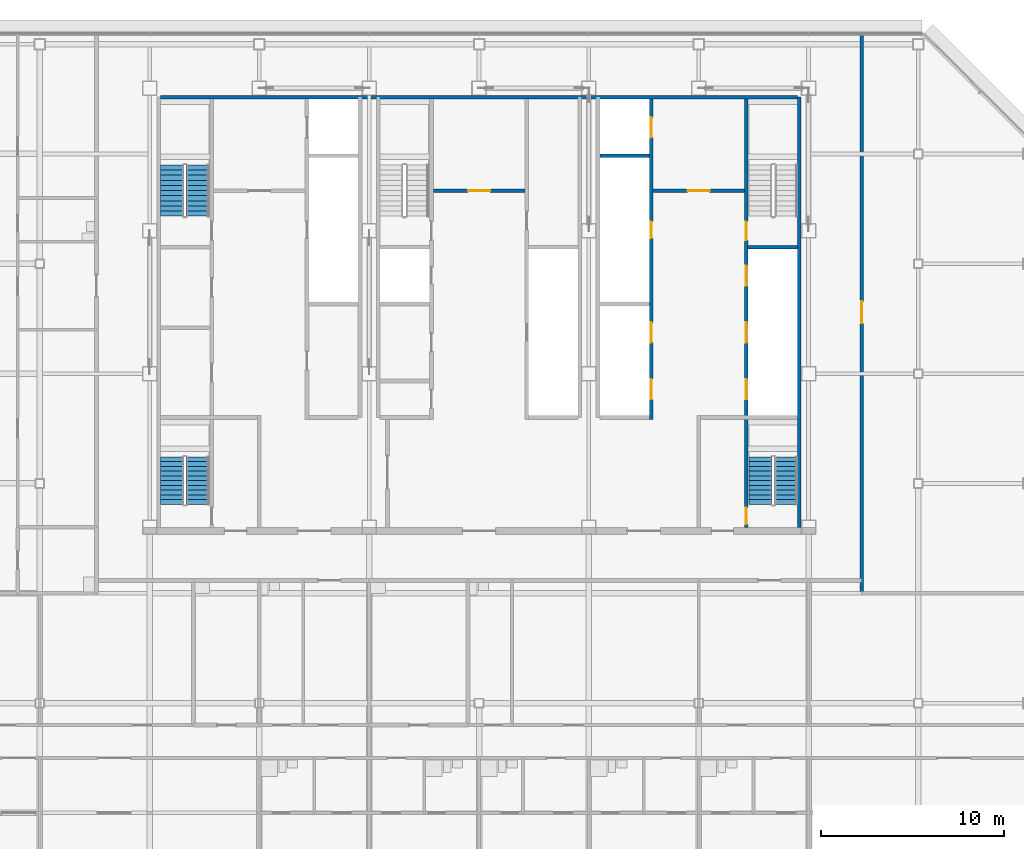
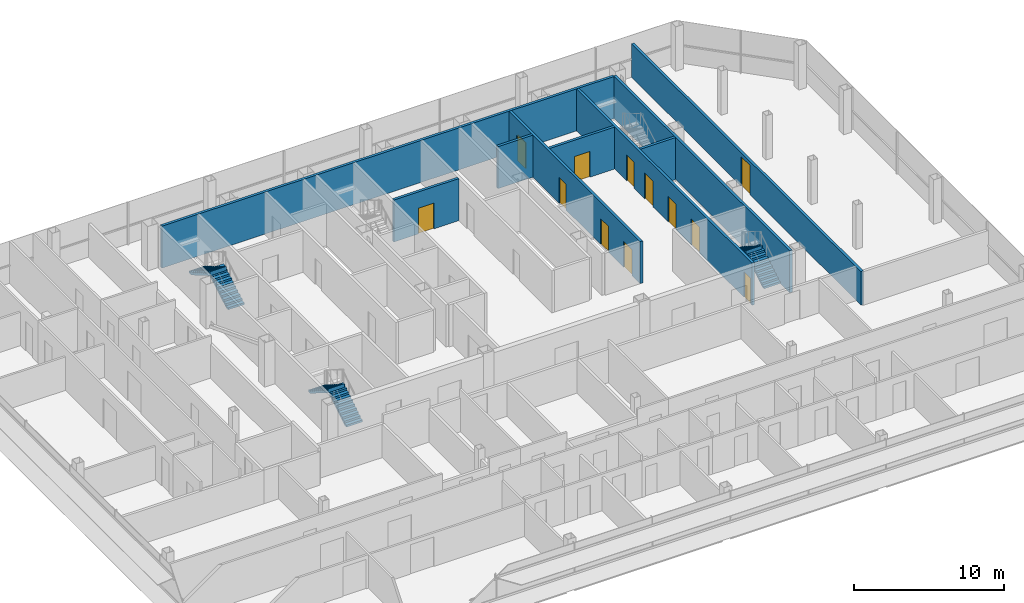
# One storey, part 25 of 28: 12 doors, 9 walls, 6 stair flights, 12 openings, 3 elements without a shape of their own.
"""IFC4 building model written with IfcOpenShell, lengths in metres."""

from ifc_helpers import new_model, si_unit, direction, frame, frame_2d, origin, place, context, subcontext, project, spatial, polyline, rectangle, outline, extrude, material, layer, layer_set, type_object, element, fill, aggregate, save


model = new_model("IFC4")

# Units and contexts
model_context = context("Model", 3, precision=1e-05, world=origin(), true_north=direction((0.0, 1.0)))
body_context = subcontext(model_context, "Body", "Model", "MODEL_VIEW")
ifc_project = project(units=[si_unit("LENGTHUNIT", "METRE"), si_unit("AREAUNIT", "SQUARE_METRE"), si_unit("VOLUMEUNIT", "CUBIC_METRE"), si_unit("PLANEANGLEUNIT", "RADIAN"), si_unit("MASSUNIT", "GRAM", prefix="KILO")], contexts=[model_context])

# Site, building, storey
site_placement = place(None, origin())
site = spatial("IfcSite", under=ifc_project, at=site_placement, CompositionType="ELEMENT")
building_placement = place(site_placement, origin())
building = spatial("IfcBuilding", under=site, at=building_placement, Name="Sorahane Residences", CompositionType="ELEMENT")
storey_placement = place(building_placement, frame((0.0, 0.0, 250.39990234375)))
storey = spatial("IfcBuildingStorey", under=building, at=storey_placement, Name="L59", CompositionType="ELEMENT", Elevation=250.39990234375)

# Walls
ifc_material_1 = material(Name="Concrete C30", Category="concrete")
ifc_layer_1 = layer(ifc_material_1, 0.199951171875)
ifc_layer_set_1 = layer_set([ifc_layer_1], Name="Core face wall 200 EI 180")
wall_type_1 = type_object("IfcWallType", Name="Core face wall 200 EI 180", PredefinedType="SOLIDWALL", material=ifc_layer_set_1)
wall_1_placement = place(storey_placement, frame((41.5, 21.60009765625, 0.0), z_axis=(0.0, 0.0, 1.0), x_axis=(0.0, 1.0, 0.0)))
element("IfcWall", 1, at=wall_1_placement, inside=storey, type_object=wall_type_1, Name="L59 core face wall", PredefinedType="SOLIDWALL", context=body_context, shape_type="SweptSolid", body=[
    extrude(rectangle(XDim=23.5, YDim=0.199951171875, at=frame_2d((11.75, 0.0))), origin(), (0.0, 0.0, 1.0), 3.420166015625),
])
wall_2_placement = place(storey_placement, frame((6.60009765625, 45.10009765625, 0.0), z_axis=(0.0, 0.0, 1.0), x_axis=(1.0, 0.0, 0.0)))
element("IfcWall", 2, at=wall_2_placement, inside=storey, type_object=wall_type_1, Name="L59 core face wall", PredefinedType="SOLIDWALL", context=body_context, shape_type="SweptSolid", body=[
    extrude(rectangle(XDim=34.7998046875, YDim=0.199951171875, at=frame_2d((17.39990234375, 0.0))), origin(), (0.0, 0.0, 1.0), 3.420166015625),
])

# Wall, opening, door
ifc_material_2 = material(Name="Concrete blockwork C20 wall", Category="masonry")
ifc_layer_2 = layer(ifc_material_2, 0.199951171875)
ifc_layer_set_2 = layer_set([ifc_layer_2], Name="Corridor wall 200 EI 120")
wall_type_2 = type_object("IfcWallType", Name="Corridor wall 200 EI 120", PredefinedType="SOLIDWALL", material=ifc_layer_set_2)
wall_3_placement = place(storey_placement, frame((44.89990234375, 18.0, 0.0), z_axis=(0.0, 0.0, 1.0), x_axis=(0.0, 1.0, 0.0)))
wall_3 = element("IfcWall", 3, at=wall_3_placement, inside=storey, type_object=wall_type_2, Name="L59 corridor wall", PredefinedType="SOLIDWALL", context=body_context, shape_type="SweptSolid", body=[
    extrude(rectangle(XDim=30.60009765625, YDim=0.199951171875, at=frame_2d((15.300048828125, 0.0))), origin(), (0.0, 0.0, 1.0), 2.72021484375),
])
opening_1_placement = place(wall_3_placement, frame((14.75, 0.0, 0.0)))
opening_1 = element("IfcOpeningElement", 4, at=opening_1_placement, cuts=wall_3, Name="Opening L59-49", PredefinedType="OPENING", context=body_context, shape_type="SweptSolid", body=[
    extrude(rectangle(XDim=1.199951171875, YDim=2.39990234375, at=frame_2d((0.60009765625, 1.199951171875))), frame((0.0, 0.10986328125, 0.0), z_axis=(0.0, -1.0, 0.0), x_axis=(1.0, 0.0, 0.0)), (0.0, 0.0, 1.0), 0.219970703125),
])
ifc_material_3 = material(Name="Steel", Category="steel")
door_type_1 = type_object("IfcDoorType", Name="Lobby door 1200x2400 FD60", OperationType="NOTDEFINED", PredefinedType="DOOR", material=ifc_material_3)
door_1_placement = place(opening_1_placement, frame((1.199951171875, 0.0, 0.0), z_axis=(0.0, 0.0, 1.0), x_axis=(-1.0, 0.0, 0.0)))
door_1 = element("IfcDoor", 5, at=door_1_placement, inside=storey, type_object=door_type_1, Name="Lobby door L59-49", OperationType="SINGLE_SWING_LEFT", OverallHeight=2.39990234375, OverallWidth=1.199951171875, PredefinedType="DOOR", context=body_context, shape_type="SweptSolid", body=[
    extrude(rectangle(XDim=1.199951171875, YDim=2.39990234375, at=frame_2d((0.60009765625, 1.199951171875))), frame((0.0, 0.02490234375, 0.0), z_axis=(0.0, -1.0, 0.0), x_axis=(1.0, 0.0, 0.0)), (0.0, 0.0, 1.0), 0.050048828125),
])
fill(opening_1, door_1)

ifc_material_4 = material(Name="Concrete C30", Category="concrete")
ifc_layer_3 = layer(ifc_material_4, 0.199951171875)
ifc_layer_set_3 = layer_set([ifc_layer_3], Name="Front room wall 200 EI 120")
wall_type_3 = type_object("IfcWallType", Name="Front room wall 200 EI 120", PredefinedType="PARTITIONING", material=ifc_layer_set_3)
wall_4_placement = place(storey_placement, frame((21.5, 40.0, 0.0), z_axis=(0.0, 0.0, 1.0), x_axis=(1.0, 0.0, 0.0)))
wall_4 = element("IfcWall", 6, at=wall_4_placement, inside=storey, type_object=wall_type_3, Name="L59 front room wall", PredefinedType="PARTITIONING", context=body_context, shape_type="SweptSolid", body=[
    extrude(rectangle(XDim=5.0, YDim=0.199951171875, at=frame_2d((2.5, 0.0))), origin(), (0.0, 0.0, 1.0), 3.420166015625),
])
opening_2_placement = place(wall_4_placement, frame((1.89990234375, 0.0, 0.0)))
opening_2 = element("IfcOpeningElement", 7, at=opening_2_placement, cuts=wall_4, Name="Opening L59-C08", PredefinedType="OPENING", context=body_context, shape_type="SweptSolid", body=[
    extrude(rectangle(XDim=1.199951171875, YDim=2.10009765625, at=frame_2d((0.60009765625, 1.050048828125))), frame((0.0, 0.10986328125, 0.0), z_axis=(0.0, -1.0, 0.0), x_axis=(1.0, 0.0, 0.0)), (0.0, 0.0, 1.0), 0.219970703125),
])
ifc_material_5 = material(Name="Steel", Category="steel")
door_type_2 = type_object("IfcDoorType", Name="Front room door 1200x2100 FD120", OperationType="NOTDEFINED", PredefinedType="DOOR", material=ifc_material_5)
door_2_placement = place(opening_2_placement, frame((1.199951171875, 0.0, 0.0), z_axis=(0.0, 0.0, 1.0), x_axis=(-1.0, 0.0, 0.0)))
door_2 = element("IfcDoor", 8, at=door_2_placement, inside=storey, type_object=door_type_2, Name="Front room door Stair S3 vestibule L59", OperationType="DOUBLE_DOOR_SINGLE_SWING", OverallHeight=2.10009765625, OverallWidth=1.199951171875, PredefinedType="DOOR", context=body_context, shape_type="SweptSolid", body=[
    extrude(rectangle(XDim=1.199951171875, YDim=2.10009765625, at=frame_2d((0.60009765625, 1.050048828125))), frame((0.0, 0.02490234375, 0.0), z_axis=(0.0, -1.0, 0.0), x_axis=(1.0, 0.0, 0.0)), (0.0, 0.0, 1.0), 0.050048828125),
])
fill(opening_2, door_2)

wall_5_placement = place(storey_placement, frame((33.5, 40.0, 0.0), z_axis=(0.0, 0.0, 1.0), x_axis=(1.0, 0.0, 0.0)))
wall_5 = element("IfcWall", 9, at=wall_5_placement, inside=storey, type_object=wall_type_3, Name="L59 front room wall", PredefinedType="PARTITIONING", context=body_context, shape_type="SweptSolid", body=[
    extrude(rectangle(XDim=5.0, YDim=0.199951171875, at=frame_2d((2.5, 0.0))), origin(), (0.0, 0.0, 1.0), 3.420166015625),
])
opening_3_placement = place(wall_5_placement, frame((1.89990234375, 0.0, 0.0)))
opening_3 = element("IfcOpeningElement", 10, at=opening_3_placement, cuts=wall_5, Name="Opening L59-C09", PredefinedType="OPENING", context=body_context, shape_type="SweptSolid", body=[
    extrude(rectangle(XDim=1.199951171875, YDim=2.10009765625, at=frame_2d((0.60009765625, 1.050048828125))), frame((0.0, 0.10986328125, 0.0), z_axis=(0.0, -1.0, 0.0), x_axis=(1.0, 0.0, 0.0)), (0.0, 0.0, 1.0), 0.219970703125),
])
door_3_placement = place(opening_3_placement, frame((1.199951171875, 0.0, 0.0), z_axis=(0.0, 0.0, 1.0), x_axis=(-1.0, 0.0, 0.0)))
door_3 = element("IfcDoor", 11, at=door_3_placement, inside=storey, type_object=door_type_2, Name="Front room door Firefighting lobby FF2 front room L59", OperationType="DOUBLE_DOOR_SINGLE_SWING", OverallHeight=2.10009765625, OverallWidth=1.199951171875, PredefinedType="DOOR", context=body_context, shape_type="SweptSolid", body=[
    extrude(rectangle(XDim=1.199951171875, YDim=2.10009765625, at=frame_2d((0.60009765625, 1.050048828125))), frame((0.0, 0.02490234375, 0.0), z_axis=(0.0, -1.0, 0.0), x_axis=(1.0, 0.0, 0.0)), (0.0, 0.0, 1.0), 0.050048828125),
])
fill(opening_3, door_3)

# Wall, openings, doors
ifc_material_6 = material(Name="Concrete C30", Category="concrete")
ifc_layer_4 = layer(ifc_material_6, 0.199951171875)
ifc_layer_set_4 = layer_set([ifc_layer_4], Name="Lift shaft wall 200 EI 120")
wall_type_4 = type_object("IfcWallType", Name="Lift shaft wall 200 EI 120", PredefinedType="SOLIDWALL", material=ifc_layer_set_4)
wall_6_placement = place(storey_placement, frame((33.39990234375, 27.5, 0.0), z_axis=(0.0, 0.0, 1.0), x_axis=(0.0, 1.0, 0.0)))
wall_6 = element("IfcWall", 12, at=wall_6_placement, inside=storey, type_object=wall_type_4, Name="L59 lift shaft wall", PredefinedType="SOLIDWALL", context=body_context, shape_type="SweptSolid", body=[
    extrude(rectangle(XDim=17.5, YDim=0.199951171875, at=frame_2d((8.75, 0.0))), origin(), (0.0, 0.0, 1.0), 3.420166015625),
])
opening_4_placement = place(wall_6_placement, frame((1.10009765625, 0.0, 0.0)))
opening_4 = element("IfcOpeningElement", 13, at=opening_4_placement, cuts=wall_6, Name="Opening L59-C13", PredefinedType="OPENING", context=body_context, shape_type="SweptSolid", body=[
    extrude(rectangle(XDim=1.10009765625, YDim=2.10009765625, at=frame_2d((0.550048828125, 1.050048828125))), frame((0.0, 0.10986328125, 0.0), z_axis=(0.0, -1.0, 0.0), x_axis=(1.0, 0.0, 0.0)), (0.0, 0.0, 1.0), 0.219970703125),
])
opening_5_placement = place(wall_6_placement, frame((4.199951171875, 0.0, 0.0)))
opening_5 = element("IfcOpeningElement", 14, at=opening_5_placement, cuts=wall_6, Name="Opening L59-C14", PredefinedType="OPENING", context=body_context, shape_type="SweptSolid", body=[
    extrude(rectangle(XDim=1.10009765625, YDim=2.10009765625, at=frame_2d((0.550048828125, 1.050048828125))), frame((0.0, 0.10986328125, 0.0), z_axis=(0.0, -1.0, 0.0), x_axis=(1.0, 0.0, 0.0)), (0.0, 0.0, 1.0), 0.219970703125),
])
opening_6_placement = place(wall_6_placement, frame((15.39990234375, 0.0, 0.0)))
opening_6 = element("IfcOpeningElement", 15, at=opening_6_placement, cuts=wall_6, Name="Opening L59-C15", PredefinedType="OPENING", context=body_context, shape_type="SweptSolid", body=[
    extrude(rectangle(XDim=1.10009765625, YDim=2.10009765625, at=frame_2d((0.550048828125, 1.050048828125))), frame((0.0, 0.10986328125, 0.0), z_axis=(0.0, -1.0, 0.0), x_axis=(1.0, 0.0, 0.0)), (0.0, 0.0, 1.0), 0.219970703125),
])
opening_7_placement = place(wall_6_placement, frame((9.89990234375, 0.0, 0.0)))
opening_7 = element("IfcOpeningElement", 16, at=opening_7_placement, cuts=wall_6, Name="Opening L59-C28", PredefinedType="OPENING", context=body_context, shape_type="SweptSolid", body=[
    extrude(rectangle(XDim=0.89990234375, YDim=2.10009765625, at=frame_2d((0.449951171875, 1.050048828125))), frame((0.0, 0.10986328125, 0.0), z_axis=(0.0, -1.0, 0.0), x_axis=(1.0, 0.0, 0.0)), (0.0, 0.0, 1.0), 0.219970703125),
])
ifc_material_7 = material(Name="Aluminium and stainless steel", Category="steel")
door_type_3 = type_object("IfcDoorType", Name="Lift landing door 1100x2100 E 60", OperationType="NOTDEFINED", PredefinedType="DOOR", material=ifc_material_7)
door_4_placement = place(opening_4_placement, origin())
door_4 = element("IfcDoor", 17, at=door_4_placement, inside=storey, type_object=door_type_3, Name="Lift landing door HR4 L59", OperationType="DOUBLE_DOOR_SLIDING", OverallHeight=2.10009765625, OverallWidth=1.10009765625, PredefinedType="DOOR", context=body_context, shape_type="SweptSolid", body=[
    extrude(rectangle(XDim=1.10009765625, YDim=2.10009765625, at=frame_2d((0.550048828125, 1.050048828125))), frame((0.0, 0.02490234375, 0.0), z_axis=(0.0, -1.0, 0.0), x_axis=(1.0, 0.0, 0.0)), (0.0, 0.0, 1.0), 0.050048828125),
])
fill(opening_4, door_4)
door_5_placement = place(opening_5_placement, origin())
door_5 = element("IfcDoor", 18, at=door_5_placement, inside=storey, type_object=door_type_3, Name="Lift landing door HR5 L59", OperationType="DOUBLE_DOOR_SLIDING", OverallHeight=2.10009765625, OverallWidth=1.10009765625, PredefinedType="DOOR", context=body_context, shape_type="SweptSolid", body=[
    extrude(rectangle(XDim=1.10009765625, YDim=2.10009765625, at=frame_2d((0.550048828125, 1.050048828125))), frame((0.0, 0.02490234375, 0.0), z_axis=(0.0, -1.0, 0.0), x_axis=(1.0, 0.0, 0.0)), (0.0, 0.0, 1.0), 0.050048828125),
])
fill(opening_5, door_5)
door_6_placement = place(opening_6_placement, origin())
door_6 = element("IfcDoor", 19, at=door_6_placement, inside=storey, type_object=door_type_3, Name="Lift landing door FF2 L59", OperationType="DOUBLE_DOOR_SLIDING", OverallHeight=2.10009765625, OverallWidth=1.10009765625, PredefinedType="DOOR", context=body_context, shape_type="SweptSolid", body=[
    extrude(rectangle(XDim=1.10009765625, YDim=2.10009765625, at=frame_2d((0.550048828125, 1.050048828125))), frame((0.0, 0.02490234375, 0.0), z_axis=(0.0, -1.0, 0.0), x_axis=(1.0, 0.0, 0.0)), (0.0, 0.0, 1.0), 0.050048828125),
])
fill(opening_6, door_6)
ifc_material_8 = material(Name="Steel", Category="steel")
door_type_4 = type_object("IfcDoorType", Name="Riser door 900x2100 FD120", OperationType="NOTDEFINED", PredefinedType="DOOR", material=ifc_material_8)
door_7_placement = place(opening_7_placement, frame((0.89990234375, 0.0, 0.0), z_axis=(0.0, 0.0, 1.0), x_axis=(-1.0, 0.0, 0.0)))
door_7 = element("IfcDoor", 20, at=door_7_placement, inside=storey, type_object=door_type_4, Name="Riser door R2 L59", OperationType="SINGLE_SWING_LEFT", OverallHeight=2.10009765625, OverallWidth=0.89990234375, PredefinedType="DOOR", context=body_context, shape_type="SweptSolid", body=[
    extrude(rectangle(XDim=0.89990234375, YDim=2.10009765625, at=frame_2d((0.449951171875, 1.050048828125))), frame((0.0, 0.02490234375, 0.0), z_axis=(0.0, -1.0, 0.0), x_axis=(1.0, 0.0, 0.0)), (0.0, 0.0, 1.0), 0.050048828125),
])
fill(opening_7, door_7)

# Wall
wall_7_placement = place(storey_placement, frame((30.60009765625, 41.89990234375, 0.0), z_axis=(0.0, 0.0, 1.0), x_axis=(1.0, 0.0, 0.0)))
element("IfcWall", 21, at=wall_7_placement, inside=storey, type_object=wall_type_4, Name="L59 lift shaft wall", PredefinedType="SOLIDWALL", context=body_context, shape_type="SweptSolid", body=[
    extrude(rectangle(XDim=2.699951171875, YDim=0.199951171875, at=frame_2d((1.35009765625, 0.0))), origin(), (0.0, 0.0, 1.0), 3.420166015625),
])

# Wall, openings, doors
ifc_material_9 = material(Name="Concrete C30", Category="concrete")
ifc_layer_5 = layer(ifc_material_9, 0.199951171875)
ifc_layer_set_5 = layer_set([ifc_layer_5], Name="Stair enclosure wall 200 EI 120")
wall_type_5 = type_object("IfcWallType", Name="Stair enclosure wall 200 EI 120", PredefinedType="SOLIDWALL", material=ifc_layer_set_5)
wall_8_placement = place(storey_placement, frame((38.60009765625, 21.60009765625, 0.0), z_axis=(0.0, 0.0, 1.0), x_axis=(0.0, 1.0, 0.0)))
wall_8 = element("IfcWall", 22, at=wall_8_placement, inside=storey, type_object=wall_type_5, Name="L59 stair enclosure wall", PredefinedType="SOLIDWALL", context=body_context, shape_type="SweptSolid", body=[
    extrude(rectangle(XDim=23.39990234375, YDim=0.199951171875, at=frame_2d((11.699951171875, 0.0))), origin(), (0.0, 0.0, 1.0), 3.420166015625),
])
opening_8_placement = place(wall_8_placement, frame((7.0, 0.0, 0.0)))
opening_8 = element("IfcOpeningElement", 23, at=opening_8_placement, cuts=wall_8, Name="Opening L59-C10", PredefinedType="OPENING", context=body_context, shape_type="SweptSolid", body=[
    extrude(rectangle(XDim=1.10009765625, YDim=2.10009765625, at=frame_2d((0.550048828125, 1.050048828125))), frame((0.0, 0.10986328125, 0.0), z_axis=(0.0, -1.0, 0.0), x_axis=(1.0, 0.0, 0.0)), (0.0, 0.0, 1.0), 0.219970703125),
])
opening_9_placement = place(wall_8_placement, frame((10.10009765625, 0.0, 0.0)))
opening_9 = element("IfcOpeningElement", 24, at=opening_9_placement, cuts=wall_8, Name="Opening L59-C11", PredefinedType="OPENING", context=body_context, shape_type="SweptSolid", body=[
    extrude(rectangle(XDim=1.10009765625, YDim=2.10009765625, at=frame_2d((0.550048828125, 1.050048828125))), frame((0.0, 0.10986328125, 0.0), z_axis=(0.0, -1.0, 0.0), x_axis=(1.0, 0.0, 0.0)), (0.0, 0.0, 1.0), 0.219970703125),
])
opening_10_placement = place(wall_8_placement, frame((13.199951171875, 0.0, 0.0)))
opening_10 = element("IfcOpeningElement", 25, at=opening_10_placement, cuts=wall_8, Name="Opening L59-C12", PredefinedType="OPENING", context=body_context, shape_type="SweptSolid", body=[
    extrude(rectangle(XDim=1.10009765625, YDim=2.10009765625, at=frame_2d((0.550048828125, 1.050048828125))), frame((0.0, 0.10986328125, 0.0), z_axis=(0.0, -1.0, 0.0), x_axis=(1.0, 0.0, 0.0)), (0.0, 0.0, 1.0), 0.219970703125),
])
opening_11_placement = place(wall_8_placement, frame((15.699951171875, 0.0, 0.0)))
opening_11 = element("IfcOpeningElement", 26, at=opening_11_placement, cuts=wall_8, Name="Opening L59-C23", PredefinedType="OPENING", context=body_context, shape_type="SweptSolid", body=[
    extrude(rectangle(XDim=1.0, YDim=2.10009765625, at=frame_2d((0.5, 1.050048828125))), frame((0.0, 0.10986328125, 0.0), z_axis=(0.0, -1.0, 0.0), x_axis=(1.0, 0.0, 0.0)), (0.0, 0.0, 1.0), 0.219970703125),
])
opening_12_placement = place(wall_8_placement, frame((0.175048828125, 0.0, 0.0)))
opening_12 = element("IfcOpeningElement", 27, at=opening_12_placement, cuts=wall_8, Name="Opening L59-C26", PredefinedType="OPENING", context=body_context, shape_type="SweptSolid", body=[
    extrude(rectangle(XDim=0.89990234375, YDim=2.10009765625, at=frame_2d((0.449951171875, 1.050048828125))), frame((0.0, 0.10986328125, 0.0), z_axis=(0.0, -1.0, 0.0), x_axis=(1.0, 0.0, 0.0)), (0.0, 0.0, 1.0), 0.219970703125),
])
door_8_placement = place(opening_8_placement, origin())
door_8 = element("IfcDoor", 28, at=door_8_placement, inside=storey, type_object=door_type_3, Name="Lift landing door HR1 L59", OperationType="DOUBLE_DOOR_SLIDING", OverallHeight=2.10009765625, OverallWidth=1.10009765625, PredefinedType="DOOR", context=body_context, shape_type="SweptSolid", body=[
    extrude(rectangle(XDim=1.10009765625, YDim=2.10009765625, at=frame_2d((0.550048828125, 1.050048828125))), frame((0.0, 0.02490234375, 0.0), z_axis=(0.0, -1.0, 0.0), x_axis=(1.0, 0.0, 0.0)), (0.0, 0.0, 1.0), 0.050048828125),
])
fill(opening_8, door_8)
door_9_placement = place(opening_9_placement, origin())
door_9 = element("IfcDoor", 29, at=door_9_placement, inside=storey, type_object=door_type_3, Name="Lift landing door HR2 L59", OperationType="DOUBLE_DOOR_SLIDING", OverallHeight=2.10009765625, OverallWidth=1.10009765625, PredefinedType="DOOR", context=body_context, shape_type="SweptSolid", body=[
    extrude(rectangle(XDim=1.10009765625, YDim=2.10009765625, at=frame_2d((0.550048828125, 1.050048828125))), frame((0.0, 0.02490234375, 0.0), z_axis=(0.0, -1.0, 0.0), x_axis=(1.0, 0.0, 0.0)), (0.0, 0.0, 1.0), 0.050048828125),
])
fill(opening_9, door_9)
door_10_placement = place(opening_10_placement, origin())
door_10 = element("IfcDoor", 30, at=door_10_placement, inside=storey, type_object=door_type_3, Name="Lift landing door HR3 L59", OperationType="DOUBLE_DOOR_SLIDING", OverallHeight=2.10009765625, OverallWidth=1.10009765625, PredefinedType="DOOR", context=body_context, shape_type="SweptSolid", body=[
    extrude(rectangle(XDim=1.10009765625, YDim=2.10009765625, at=frame_2d((0.550048828125, 1.050048828125))), frame((0.0, 0.02490234375, 0.0), z_axis=(0.0, -1.0, 0.0), x_axis=(1.0, 0.0, 0.0)), (0.0, 0.0, 1.0), 0.050048828125),
])
fill(opening_10, door_10)
ifc_material_10 = material(Name="Steel", Category="steel")
door_type_5 = type_object("IfcDoorType", Name="Stair door 1000x2100 FD120", OperationType="NOTDEFINED", PredefinedType="DOOR", material=ifc_material_10)
door_11_placement = place(opening_11_placement, frame((1.0, 0.0, 0.0), z_axis=(0.0, 0.0, 1.0), x_axis=(-1.0, 0.0, 0.0)))
door_11 = element("IfcDoor", 31, at=door_11_placement, inside=storey, type_object=door_type_5, Name="Stair door S2 L59", OperationType="SINGLE_SWING_LEFT", OverallHeight=2.10009765625, OverallWidth=1.0, PredefinedType="DOOR", context=body_context, shape_type="SweptSolid", body=[
    extrude(rectangle(XDim=1.0, YDim=2.10009765625, at=frame_2d((0.5, 1.050048828125))), frame((0.0, 0.02490234375, 0.0), z_axis=(0.0, -1.0, 0.0), x_axis=(1.0, 0.0, 0.0)), (0.0, 0.0, 1.0), 0.050048828125),
])
fill(opening_11, door_11)
ifc_material_11 = material(Name="Steel", Category="steel")
door_type_6 = type_object("IfcDoorType", Name="Stair door 900x2100 FD120", OperationType="NOTDEFINED", PredefinedType="DOOR", material=ifc_material_11)
door_12_placement = place(opening_12_placement, frame((0.89990234375, 0.0, 0.0), z_axis=(0.0, 0.0, 1.0), x_axis=(-1.0, 0.0, 0.0)))
door_12 = element("IfcDoor", 32, at=door_12_placement, inside=storey, type_object=door_type_6, Name="Stair door S5 L59", OperationType="SINGLE_SWING_LEFT", OverallHeight=2.10009765625, OverallWidth=0.89990234375, PredefinedType="DOOR", context=body_context, shape_type="SweptSolid", body=[
    extrude(rectangle(XDim=0.89990234375, YDim=2.10009765625, at=frame_2d((0.449951171875, 1.050048828125))), frame((0.0, 0.02490234375, 0.0), z_axis=(0.0, -1.0, 0.0), x_axis=(1.0, 0.0, 0.0)), (0.0, 0.0, 1.0), 0.050048828125),
])
fill(opening_12, door_12)

# Wall
wall_9_placement = place(storey_placement, frame((38.699951171875, 36.89990234375, 0.0), z_axis=(0.0, 0.0, 1.0), x_axis=(1.0, 0.0, 0.0)))
element("IfcWall", 33, at=wall_9_placement, inside=storey, type_object=wall_type_5, Name="L59 stair enclosure wall", PredefinedType="SOLIDWALL", context=body_context, shape_type="SweptSolid", body=[
    extrude(rectangle(XDim=2.699951171875, YDim=0.199951171875, at=frame_2d((1.35009765625, 0.0))), origin(), (0.0, 0.0, 1.0), 3.420166015625),
])

# Stair, stair flights
ifc_material_12 = material(Name="Concrete C40", Category="concrete")
stair_type = type_object("IfcStairType", Name="Dog-leg stair 1250 Concrete C40", PredefinedType="HALF_TURN_STAIR", material=ifc_material_12)
stair_1_placement = place(storey_placement, origin())
stair_1 = element("IfcStair", 34, at=stair_1_placement, inside=storey, type_object=stair_type, Name="L59 Stair S1", PredefinedType="HALF_TURN_STAIR")
ifc_material_13 = material(Name="Concrete C40", Category="concrete")
stair_flight_type = type_object("IfcStairFlightType", Name="Stair flight 1250 Concrete C40", PredefinedType="STRAIGHT", material=ifc_material_13)
stair_flight_1_placement = place(storey_placement, frame((8.625, 38.60009765625, 0.0), z_axis=(0.0, 0.0, 1.0), x_axis=(0.0, 1.0, 0.0)))
stair_flight_1 = element("IfcStairFlight", 35, at=stair_flight_1_placement, type_object=stair_flight_type, Name="S1 flight 1", NumberOfRisers=11, NumberOfTreads=10, PredefinedType="STRAIGHT", RiserHeight=0.163636364, TreadLength=0.28, context=body_context, shape_type="SweptSolid", body=[
    extrude(outline(polyline([(-0.00146484375, 0.0), (-0.00146484375, 0.16357421875), (0.0, 0.16357421875), (0.280029296875, 0.16357421875), (0.280029296875, 0.327392578125), (0.56005859375, 0.327392578125), (0.56005859375, 0.490966796875), (0.840087890625, 0.490966796875), (0.840087890625, 0.654541015625), (1.1201171875, 0.654541015625), (1.1201171875, 0.818115234375), (1.39990234375, 0.818115234375), (1.39990234375, 0.98193359375), (1.679931640625, 0.98193359375), (1.679931640625, 1.1455078125), (1.9599609375, 1.1455078125), (1.9599609375, 1.30908203125), (2.239990234375, 1.30908203125), (2.239990234375, 1.47265625), (2.52001953125, 1.47265625), (2.52001953125, 1.636474609375), (2.800048828125, 1.636474609375), (2.800048828125, 1.800048828125), (2.800048828125, 1.462646484375), (2.59130859375, 1.3408203125), (2.3828125, 1.218994140625), (2.17431640625, 1.09716796875), (1.965576171875, 0.97509765625), (1.757080078125, 0.853271484375), (1.548583984375, 0.7314453125), (1.340087890625, 0.609375), (1.13134765625, 0.487548828125), (0.9228515625, 0.36572265625), (0.71435546875, 0.243896484375), (0.505615234375, 0.121826171875), (0.297119140625, 0.0), (-0.00146484375, 0.0)])), frame((0.0, 0.625, 0.0), z_axis=(0.0, -1.0, 0.0), x_axis=(1.0, 0.0, 0.0)), (0.0, 0.0, 1.0), 1.25),
])
stair_flight_2_placement = place(storey_placement, frame((7.22509765625, 41.39990234375, 1.800048828125), z_axis=(0.0, 0.0, 1.0), x_axis=(0.0, -1.0, 0.0)))
stair_flight_2 = element("IfcStairFlight", 36, at=stair_flight_2_placement, type_object=stair_flight_type, Name="S1 flight 2", NumberOfRisers=11, NumberOfTreads=10, PredefinedType="STRAIGHT", RiserHeight=0.163636364, TreadLength=0.28, context=body_context, shape_type="SweptSolid", body=[
    extrude(outline(polyline([(0.0, 0.0), (0.0, 0.16357421875), (0.280029296875, 0.16357421875), (0.280029296875, 0.327392578125), (0.56005859375, 0.327392578125), (0.56005859375, 0.490966796875), (0.840087890625, 0.490966796875), (0.840087890625, 0.654541015625), (1.1201171875, 0.654541015625), (1.1201171875, 0.818115234375), (1.39990234375, 0.818115234375), (1.39990234375, 0.98193359375), (1.679931640625, 0.98193359375), (1.679931640625, 1.1455078125), (1.9599609375, 1.1455078125), (1.9599609375, 1.30908203125), (2.239990234375, 1.30908203125), (2.239990234375, 1.47265625), (2.52001953125, 1.47265625), (2.52001953125, 1.636474609375), (2.800048828125, 1.636474609375), (2.800048828125, 1.800048828125), (2.801513671875, 1.800048828125), (2.801513671875, 1.462646484375), (2.5927734375, 1.3408203125), (2.384033203125, 1.218994140625), (2.17529296875, 1.09716796875), (1.966796875, 0.97509765625), (1.758056640625, 0.853271484375), (1.54931640625, 0.7314453125), (1.340576171875, 0.609375), (1.1318359375, 0.487548828125), (0.923095703125, 0.36572265625), (0.714599609375, 0.243896484375), (0.505859375, 0.121826171875), (0.297119140625, 0.0), (0.0, 0.0)])), frame((0.0, 0.625, 0.0), z_axis=(0.0, -1.0, 0.0), x_axis=(1.0, 0.0, 0.0)), (0.0, 0.0, 1.0), 1.25),
])
aggregate(stair_1, [stair_flight_1, stair_flight_2])

stair_2_placement = place(storey_placement, origin())
stair_2 = element("IfcStair", 37, at=stair_2_placement, inside=storey, type_object=stair_type, Name="L59 Stair S4", PredefinedType="HALF_TURN_STAIR")
stair_flight_3_placement = place(storey_placement, frame((8.625, 22.85009765625, 0.0), z_axis=(0.0, 0.0, 1.0), x_axis=(0.0, 1.0, 0.0)))
stair_flight_3 = element("IfcStairFlight", 38, at=stair_flight_3_placement, type_object=stair_flight_type, Name="S4 flight 1", NumberOfRisers=11, NumberOfTreads=10, PredefinedType="STRAIGHT", RiserHeight=0.163636364, TreadLength=0.26, context=body_context, shape_type="SweptSolid", body=[
    extrude(outline(polyline([(-0.00146484375, 0.0), (-0.00146484375, 0.16357421875), (0.0, 0.16357421875), (0.260009765625, 0.16357421875), (0.260009765625, 0.327392578125), (0.52001953125, 0.327392578125), (0.52001953125, 0.490966796875), (0.780029296875, 0.490966796875), (0.780029296875, 0.654541015625), (1.0400390625, 0.654541015625), (1.0400390625, 0.818115234375), (1.300048828125, 0.818115234375), (1.300048828125, 0.98193359375), (1.56005859375, 0.98193359375), (1.56005859375, 1.1455078125), (1.820068359375, 1.1455078125), (1.820068359375, 1.30908203125), (2.080078125, 1.30908203125), (2.080078125, 1.47265625), (2.340087890625, 1.47265625), (2.340087890625, 1.636474609375), (2.60009765625, 1.636474609375), (2.60009765625, 1.800048828125), (2.60009765625, 1.494384765625), (2.402099609375, 1.369873046875), (2.204345703125, 1.245361328125), (2.00634765625, 1.120849609375), (1.80859375, 0.996337890625), (1.610595703125, 0.871826171875), (1.412841796875, 0.747314453125), (1.21484375, 0.622802734375), (1.01708984375, 0.498046875), (0.819091796875, 0.37353515625), (0.621337890625, 0.2490234375), (0.42333984375, 0.12451171875), (0.2255859375, 0.0), (-0.00146484375, 0.0)])), frame((0.0, 0.625, 0.0), z_axis=(0.0, -1.0, 0.0), x_axis=(1.0, 0.0, 0.0)), (0.0, 0.0, 1.0), 1.25),
])
stair_flight_4_placement = place(storey_placement, frame((7.22509765625, 25.449951171875, 1.800048828125), z_axis=(0.0, 0.0, 1.0), x_axis=(0.0, -1.0, 0.0)))
stair_flight_4 = element("IfcStairFlight", 39, at=stair_flight_4_placement, type_object=stair_flight_type, Name="S4 flight 2", NumberOfRisers=11, NumberOfTreads=10, PredefinedType="STRAIGHT", RiserHeight=0.163636364, TreadLength=0.26, context=body_context, shape_type="SweptSolid", body=[
    extrude(outline(polyline([(0.0, 0.0), (0.0, 0.16357421875), (0.260009765625, 0.16357421875), (0.260009765625, 0.327392578125), (0.52001953125, 0.327392578125), (0.52001953125, 0.490966796875), (0.780029296875, 0.490966796875), (0.780029296875, 0.654541015625), (1.0400390625, 0.654541015625), (1.0400390625, 0.818115234375), (1.300048828125, 0.818115234375), (1.300048828125, 0.98193359375), (1.56005859375, 0.98193359375), (1.56005859375, 1.1455078125), (1.820068359375, 1.1455078125), (1.820068359375, 1.30908203125), (2.080078125, 1.30908203125), (2.080078125, 1.47265625), (2.340087890625, 1.47265625), (2.340087890625, 1.636474609375), (2.60009765625, 1.636474609375), (2.60009765625, 1.800048828125), (2.6015625, 1.800048828125), (2.6015625, 1.494384765625), (2.403564453125, 1.369873046875), (2.20556640625, 1.245361328125), (2.007568359375, 1.120849609375), (1.8095703125, 0.996337890625), (1.611572265625, 0.871826171875), (1.41357421875, 0.747314453125), (1.215576171875, 0.622802734375), (1.017578125, 0.498046875), (0.819580078125, 0.37353515625), (0.62158203125, 0.2490234375), (0.423583984375, 0.12451171875), (0.2255859375, 0.0), (0.0, 0.0)])), frame((0.0, 0.625, 0.0), z_axis=(0.0, -1.0, 0.0), x_axis=(1.0, 0.0, 0.0)), (0.0, 0.0, 1.0), 1.25),
])
aggregate(stair_2, [stair_flight_3, stair_flight_4])

stair_3_placement = place(storey_placement, origin())
stair_3 = element("IfcStair", 40, at=stair_3_placement, inside=storey, type_object=stair_type, Name="L59 Stair S5", PredefinedType="HALF_TURN_STAIR")
stair_flight_5_placement = place(storey_placement, frame((40.77490234375, 22.85009765625, 0.0), z_axis=(0.0, 0.0, 1.0), x_axis=(0.0, 1.0, 0.0)))
stair_flight_5 = element("IfcStairFlight", 41, at=stair_flight_5_placement, type_object=stair_flight_type, Name="S5 flight 1", NumberOfRisers=11, NumberOfTreads=10, PredefinedType="STRAIGHT", RiserHeight=0.163636364, TreadLength=0.26, context=body_context, shape_type="SweptSolid", body=[
    extrude(outline(polyline([(-0.00146484375, 0.0), (-0.00146484375, 0.16357421875), (0.0, 0.16357421875), (0.260009765625, 0.16357421875), (0.260009765625, 0.327392578125), (0.52001953125, 0.327392578125), (0.52001953125, 0.490966796875), (0.780029296875, 0.490966796875), (0.780029296875, 0.654541015625), (1.0400390625, 0.654541015625), (1.0400390625, 0.818115234375), (1.300048828125, 0.818115234375), (1.300048828125, 0.98193359375), (1.56005859375, 0.98193359375), (1.56005859375, 1.1455078125), (1.820068359375, 1.1455078125), (1.820068359375, 1.30908203125), (2.080078125, 1.30908203125), (2.080078125, 1.47265625), (2.340087890625, 1.47265625), (2.340087890625, 1.636474609375), (2.60009765625, 1.636474609375), (2.60009765625, 1.800048828125), (2.60009765625, 1.494384765625), (2.402099609375, 1.369873046875), (2.204345703125, 1.245361328125), (2.00634765625, 1.120849609375), (1.80859375, 0.996337890625), (1.610595703125, 0.871826171875), (1.412841796875, 0.747314453125), (1.21484375, 0.622802734375), (1.01708984375, 0.498046875), (0.819091796875, 0.37353515625), (0.621337890625, 0.2490234375), (0.42333984375, 0.12451171875), (0.2255859375, 0.0), (-0.00146484375, 0.0)])), frame((0.0, 0.625, 0.0), z_axis=(0.0, -1.0, 0.0), x_axis=(1.0, 0.0, 0.0)), (0.0, 0.0, 1.0), 1.25),
])
stair_flight_6_placement = place(storey_placement, frame((39.375, 25.449951171875, 1.800048828125), z_axis=(0.0, 0.0, 1.0), x_axis=(0.0, -1.0, 0.0)))
stair_flight_6 = element("IfcStairFlight", 42, at=stair_flight_6_placement, type_object=stair_flight_type, Name="S5 flight 2", NumberOfRisers=11, NumberOfTreads=10, PredefinedType="STRAIGHT", RiserHeight=0.163636364, TreadLength=0.26, context=body_context, shape_type="SweptSolid", body=[
    extrude(outline(polyline([(0.0, 0.0), (0.0, 0.16357421875), (0.260009765625, 0.16357421875), (0.260009765625, 0.327392578125), (0.52001953125, 0.327392578125), (0.52001953125, 0.490966796875), (0.780029296875, 0.490966796875), (0.780029296875, 0.654541015625), (1.0400390625, 0.654541015625), (1.0400390625, 0.818115234375), (1.300048828125, 0.818115234375), (1.300048828125, 0.98193359375), (1.56005859375, 0.98193359375), (1.56005859375, 1.1455078125), (1.820068359375, 1.1455078125), (1.820068359375, 1.30908203125), (2.080078125, 1.30908203125), (2.080078125, 1.47265625), (2.340087890625, 1.47265625), (2.340087890625, 1.636474609375), (2.60009765625, 1.636474609375), (2.60009765625, 1.800048828125), (2.6015625, 1.800048828125), (2.6015625, 1.494384765625), (2.403564453125, 1.369873046875), (2.20556640625, 1.245361328125), (2.007568359375, 1.120849609375), (1.8095703125, 0.996337890625), (1.611572265625, 0.871826171875), (1.41357421875, 0.747314453125), (1.215576171875, 0.622802734375), (1.017578125, 0.498046875), (0.819580078125, 0.37353515625), (0.62158203125, 0.2490234375), (0.423583984375, 0.12451171875), (0.2255859375, 0.0), (0.0, 0.0)])), frame((0.0, 0.625, 0.0), z_axis=(0.0, -1.0, 0.0), x_axis=(1.0, 0.0, 0.0)), (0.0, 0.0, 1.0), 1.25),
])
aggregate(stair_3, [stair_flight_5, stair_flight_6])

save(model, "model.ifc")
